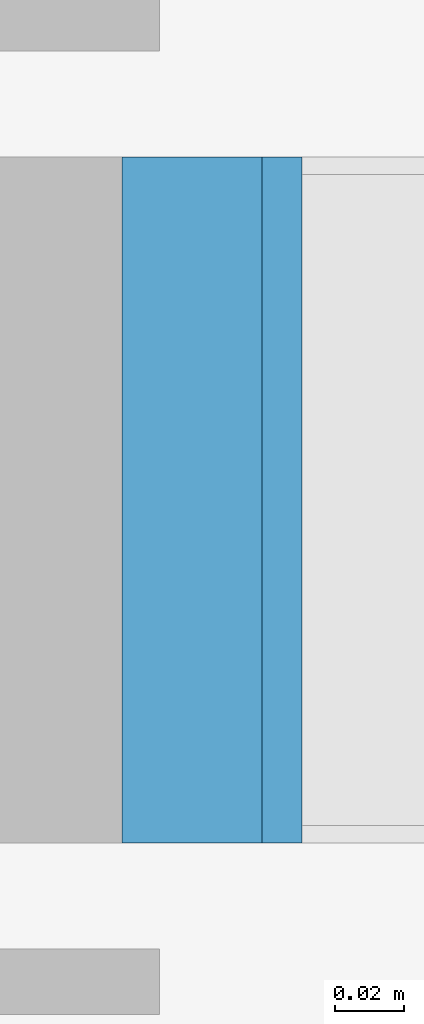
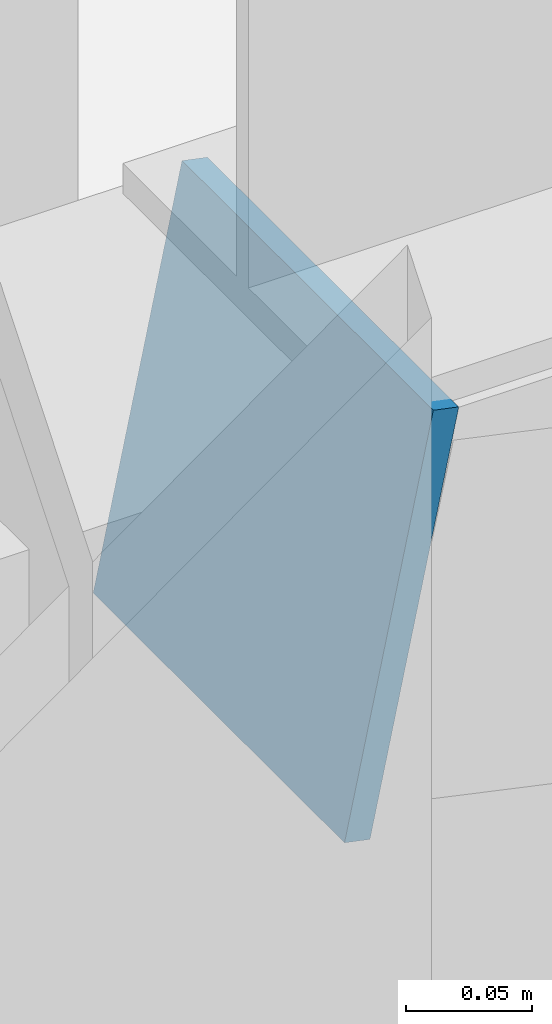
# One storey, part 77 of 91: 1 discrete accessory.
"""IFC4 building model written with IfcOpenShell, lengths in metres."""

from ifc_helpers import new_model, si_unit, direction, frame, origin, origin_2d, place, context, subcontext, project, spatial, rectangle, extrude, material, material_profile, profile_set, type_object, element, save


model = new_model("IFC4")

# Units and contexts
model_context = context("Model", 3, precision=1e-05, world=origin(), true_north=direction((0.0, 1.0)))
body_context = subcontext(model_context, "Body", "Model", "MODEL_VIEW")
ifc_project = project(units=[si_unit("LENGTHUNIT", "METRE"), si_unit("AREAUNIT", "SQUARE_METRE"), si_unit("VOLUMEUNIT", "CUBIC_METRE"), si_unit("PLANEANGLEUNIT", "RADIAN"), si_unit("MASSUNIT", "GRAM", prefix="KILO")], contexts=[model_context])

# Site, building, storey
site_placement = place(None, origin())
site = spatial("IfcSite", under=ifc_project, at=site_placement, CompositionType="ELEMENT")
building_placement = place(site_placement, origin())
building = spatial("IfcBuilding", under=site, at=building_placement, Name="Ravi Spectrum Wholesale Market", CompositionType="ELEMENT")
storey_placement = place(building_placement, frame((0.0, 0.0, 16.199951171875)))
storey = spatial("IfcBuildingStorey", under=building, at=storey_placement, Name="ROOF PLANT LEVEL", CompositionType="ELEMENT", Elevation=16.199951171875)

# Discrete accessory
ifc_material = material(Name="Steel S355", Category="steel")
ifc_material_profile = material_profile(ifc_material, rectangle(XDim=0.199951171875, YDim=0.199951171875, at=origin_2d()))
ifc_profile_set = profile_set([ifc_material_profile], Name="Steel S355")
discrete_accessory_type = type_object("IfcDiscreteAccessoryType", Name="End plate SHS 200x200x8", PredefinedType="BRACKET", material=ifc_profile_set)
discrete_accessory_placement = place(storey_placement, frame((258.171142578125, 42.0, 2.62451171875), z_axis=(-0.978980419738, 0.0, 0.203954254112), x_axis=(0.0, -1.0, 0.0)))
element("IfcDiscreteAccessory", 1, at=discrete_accessory_placement, inside=storey, type_object=discrete_accessory_type, Name="End plate", PredefinedType="BRACKET", context=body_context, shape_type="SweptSolid", body=[
    extrude(rectangle(XDim=0.199951171875, YDim=0.199951171875, at=origin_2d()), origin(), (0.0, 0.0, 1.0), 0.011962890625),
])

save(model, "model.ifc")
